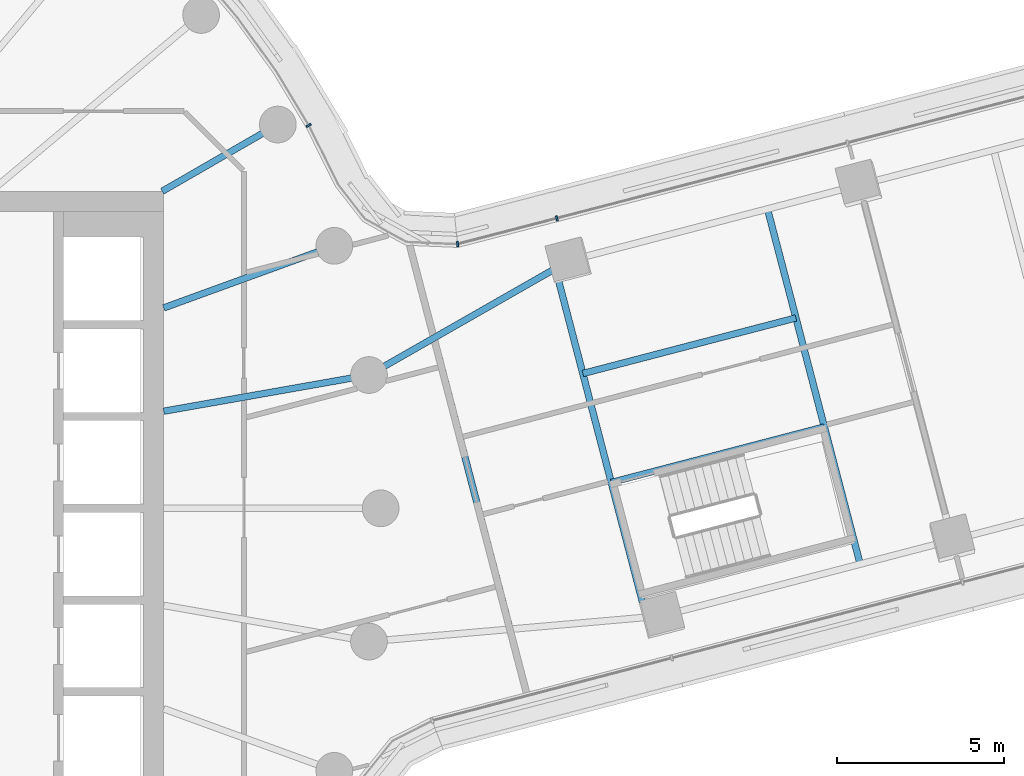
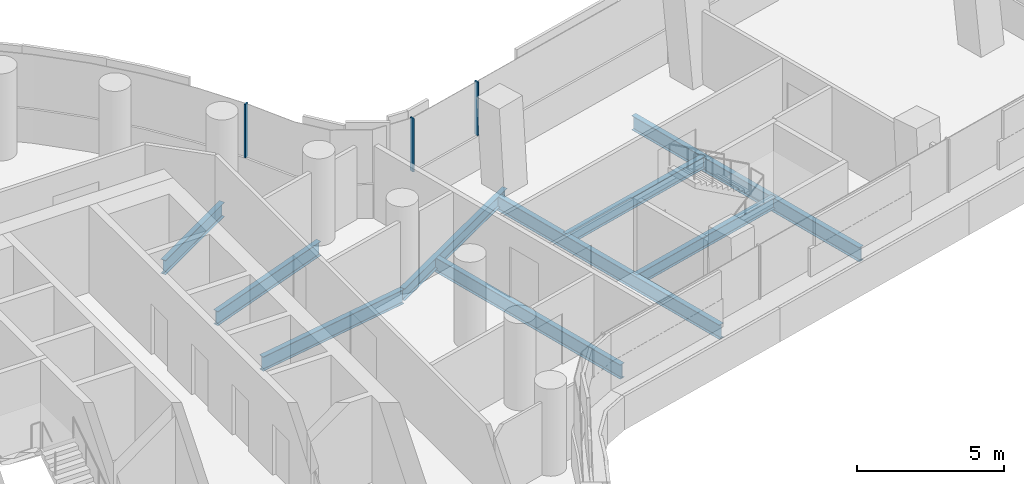
# One storey, part 11 of 30: 9 beams, 3 members, 2 elements without a shape of their own.
"""IFC4 building model written with IfcOpenShell, lengths in metres."""

from ifc_helpers import new_model, si_unit, direction, frame, origin, origin_2d, place, context, subcontext, project, spatial, rectangle, i_section, extrude, material, layer, layer_set, material_profile, profile_set, type_object, element, aggregate, save


model = new_model("IFC4")

# Units and contexts
model_context = context("Model", 3, precision=1e-05, world=origin(), true_north=direction((0.0, 1.0)))
body_context = subcontext(model_context, "Body", "Model", "MODEL_VIEW")
ifc_project = project(units=[si_unit("LENGTHUNIT", "METRE"), si_unit("AREAUNIT", "SQUARE_METRE"), si_unit("VOLUMEUNIT", "CUBIC_METRE"), si_unit("PLANEANGLEUNIT", "RADIAN"), si_unit("MASSUNIT", "GRAM", prefix="KILO")], contexts=[model_context])

# Site, building, storey
site_placement = place(None, origin())
site = spatial("IfcSite", under=ifc_project, at=site_placement, CompositionType="ELEMENT")
building_placement = place(site_placement, origin())
building = spatial("IfcBuilding", under=site, at=building_placement, Name="Tamarind Cross Interchange Tower", CompositionType="ELEMENT")
storey_placement = place(building_placement, frame((0.0, 0.0, 87.25)))
storey = spatial("IfcBuildingStorey", under=building, at=storey_placement, Name="L20", CompositionType="ELEMENT", Elevation=87.25)

# Beams
ifc_material_1 = material(Name="Steel Q355B", Category="steel")
ifc_material_profile_1 = material_profile(ifc_material_1, i_section(OverallWidth=0.198974609375, OverallDepth=0.49609375, WebThickness=0.009033203125, FlangeThickness=0.013916015625, FilletRadius=0.012939453125, at=origin_2d()), Name="HN 496x199x9x14")
ifc_profile_set_1 = profile_set([ifc_material_profile_1], Name="Steel Q355B")
beam_type_1 = type_object("IfcBeamType", Name="Composite beam HN 496x199x9x14 Q355B", PredefinedType="BEAM", material=ifc_profile_set_1)
beam_1_placement = place(storey_placement, frame((28.64208984375, 7.417724609375, -0.387939453125), z_axis=(-0.86823443333, -0.496154178437, 0.0), x_axis=(0.496154178437, -0.86823443333, 0.0)))
element("IfcBeam", 1, at=beam_1_placement, inside=storey, type_object=beam_type_1, Name="Beam E-linkep", PredefinedType="BEAM", context=body_context, shape_type="SweptSolid", body=[
    extrude(i_section(OverallWidth=0.198974609375, OverallDepth=0.49609375, WebThickness=0.009033203125, FlangeThickness=0.013916015625, FilletRadius=0.012939453125, at=origin_2d()), origin(), (0.0, 0.0, 1.0), 6.900634765625),
])
for number, where, z_axis, x_axis, name in (
    (2, (29.9111328125, 0.77294921875, -0.387939453125), (0.967597628492, 0.252497186791, 0.0), (-0.252497186791, 0.967597628492, 0.0), "Beam E-tr1"),
    (3, (29.058837890625, 4.03857421875, -0.387939453125), (0.967597628492, 0.252497186791, 0.0), (-0.252497186791, 0.967597628492, 0.0), "Beam E-stripp"),
):
    element("IfcBeam", number, at=place(storey_placement, frame(where, z_axis=z_axis, x_axis=x_axis)), inside=storey, type_object=beam_type_1, Name=name, PredefinedType="BEAM", context=body_context, shape_type="SweptSolid", body=[
        extrude(i_section(OverallWidth=0.198974609375, OverallDepth=0.49609375, WebThickness=0.009033203125, FlangeThickness=0.013916015625, FilletRadius=0.012939453125, at=origin_2d()), origin(), (0.0, 0.0, 1.0), 6.60009765625),
    ])
ifc_material_profile_2 = material_profile(ifc_material_1, i_section(OverallWidth=0.198974609375, OverallDepth=0.595947265625, WebThickness=0.010009765625, FlangeThickness=0.014892578125, FilletRadius=0.012939453125, at=origin_2d()), Name="HN 596x199x10x15")
ifc_profile_set_2 = profile_set([ifc_material_profile_2], Name="Steel Q355B")
beam_type_2 = type_object("IfcBeamType", Name="Composite beam HN 596x199x10x15 Q355B", PredefinedType="BEAM", material=ifc_profile_set_2)
beam_2_placement = place(storey_placement, frame((22.650634765625, 3.993896484375, -0.43798828125), z_axis=(-0.984809127561, -0.173640382036, 0.0), x_axis=(0.173640382036, -0.984809127561, 0.0)))
element("IfcBeam", 4, at=beam_2_placement, inside=storey, type_object=beam_type_2, Name="Beam HH01", PredefinedType="BEAM", context=body_context, shape_type="SweptSolid", body=[
    extrude(i_section(OverallWidth=0.198974609375, OverallDepth=0.595947265625, WebThickness=0.010009765625, FlangeThickness=0.014892578125, FilletRadius=0.012939453125, at=origin_2d()), origin(), (0.0, 0.0, 1.0), 6.24560546875),
])
beam_3_placement = place(storey_placement, frame((21.613037109375, 7.866455078125, -0.43798828125), z_axis=(-0.939701685589, -0.341995236956, 0.0), x_axis=(0.341995236956, -0.939701685589, 0.0)))
element("IfcBeam", 5, at=beam_3_placement, inside=storey, type_object=beam_type_2, Name="Beam HH02", PredefinedType="BEAM", context=body_context, shape_type="SweptSolid", body=[
    extrude(i_section(OverallWidth=0.198974609375, OverallDepth=0.595947265625, WebThickness=0.010009765625, FlangeThickness=0.014892578125, FilletRadius=0.012939453125, at=origin_2d()), origin(), (0.0, 0.0, 1.0), 5.441162109375),
])
beam_4_placement = place(storey_placement, frame((19.918701171875, 11.5, -0.43798828125), z_axis=(-0.866026010844, -0.49999894854, 0.0), x_axis=(0.49999894854, -0.866026010844, 0.0)))
element("IfcBeam", 6, at=beam_4_placement, inside=storey, type_object=beam_type_2, Name="Beam HH03", PredefinedType="BEAM", context=body_context, shape_type="SweptSolid", body=[
    extrude(i_section(OverallWidth=0.198974609375, OverallDepth=0.595947265625, WebThickness=0.010009765625, FlangeThickness=0.014892578125, FilletRadius=0.012939453125, at=origin_2d()), origin(), (0.0, 0.0, 1.0), 4.0),
])
ifc_material_profile_3 = material_profile(ifc_material_1, i_section(OverallWidth=0.199951171875, OverallDepth=0.60009765625, WebThickness=0.010986328125, FlangeThickness=0.01708984375, FilletRadius=0.012939453125, at=origin_2d()), Name="HN 600x200x11x17")
ifc_profile_set_3 = profile_set([ifc_material_profile_3], Name="Steel Q355B")
beam_type_3 = type_object("IfcBeamType", Name="Composite beam HN 600x200x11x17 Q355B", PredefinedType="BEAM", material=ifc_profile_set_3)
beam_5_placement = place(storey_placement, frame((30.96533203125, -3.265625, -0.43994140625), z_axis=(-0.252541499528, 0.967586063881, 0.0), x_axis=(-0.967586063881, -0.252541499528, 0.0)))
element("IfcBeam", 7, at=beam_5_placement, inside=storey, type_object=beam_type_3, Name="Beam E-x298", PredefinedType="BEAM", context=body_context, shape_type="SweptSolid", body=[
    extrude(i_section(OverallWidth=0.199951171875, OverallDepth=0.60009765625, WebThickness=0.010986328125, FlangeThickness=0.01708984375, FilletRadius=0.012939453125, at=origin_2d()), origin(), (0.0, 0.0, 1.0), 10.80224609375),
])
beam_6_placement = place(storey_placement, frame((37.37060546875, -1.672607421875, -0.43994140625), z_axis=(-0.252533930755, 0.967588039311, 0.0), x_axis=(-0.967588039311, -0.252533930755, 0.0)))
element("IfcBeam", 8, at=beam_6_placement, inside=storey, type_object=beam_type_3, Name="Beam E-x364", PredefinedType="BEAM", context=body_context, shape_type="SweptSolid", body=[
    extrude(i_section(OverallWidth=0.199951171875, OverallDepth=0.60009765625, WebThickness=0.010986328125, FlangeThickness=0.01708984375, FilletRadius=0.012939453125, at=origin_2d()), origin(), (0.0, 0.0, 1.0), 10.999755859375),
])
beam_7_placement = place(storey_placement, frame((26.873046875, -3.6240234375, -0.43994140625), z_axis=(-0.252519943433, 0.967591689799, 0.0), x_axis=(-0.967591689799, -0.252519943433, 0.0)))
element("IfcBeam", 9, at=beam_7_placement, inside=storey, type_object=beam_type_3, Name="Beam E-x258", PredefinedType="BEAM", context=body_context, shape_type="SweptSolid", body=[
    extrude(i_section(OverallWidth=0.199951171875, OverallDepth=0.60009765625, WebThickness=0.010986328125, FlangeThickness=0.01708984375, FilletRadius=0.012939453125, at=origin_2d()), origin(), (0.0, 0.0, 1.0), 9.021484375),
])

# Curtain wall, member
ifc_material_2 = material(Name="Aluminium 6063-T6", Category="aluminium")
ifc_layer = layer(ifc_material_2, 0.159912109375)
ifc_layer_set = layer_set([ifc_layer], Name="Aluminium 6063-T6")
curtain_wall_type = type_object("IfcCurtainWallType", Name="Office curtain wall, 9.0 m bays", PredefinedType="NOTDEFINED", material=ifc_layer_set)
curtain_wall_1_placement = place(storey_placement, origin())
curtain_wall_1 = element("IfcCurtainWall", 10, at=curtain_wall_1_placement, inside=storey, type_object=curtain_wall_type, Name="CWS-L20-13", PredefinedType="NOTDEFINED")
ifc_material_profile_4 = material_profile(ifc_material_2, rectangle(XDim=0.06005859375, YDim=0.159912109375, at=origin_2d()), Name="Mullion CW1")
ifc_profile_set_4 = profile_set([ifc_material_profile_4], Name="Aluminium 6063-T6")
member_type = type_object("IfcMemberType", Name="Mullion CW1", PredefinedType="MULLION", material=ifc_profile_set_4)
member_1_placement = place(storey_placement, frame((28.279541015625, 8.689453125, 1.39990234375), z_axis=(0.0, 0.0, 1.0), x_axis=(-0.967917811763, -0.251267008723, 0.0)))
member_1 = element("IfcMember", 11, at=member_1_placement, type_object=member_type, Name="CWM-L20-13-02", PredefinedType="MULLION", context=body_context, shape_type="SweptSolid", body=[
    extrude(rectangle(XDim=0.06005859375, YDim=0.159912109375, at=origin_2d()), origin(), (0.0, 0.0, 1.0), 2.210205078125),
])
aggregate(curtain_wall_1, [member_1])

# Curtain wall, members
curtain_wall_2_placement = place(storey_placement, origin())
curtain_wall_2 = element("IfcCurtainWall", 12, at=curtain_wall_2_placement, inside=storey, type_object=curtain_wall_type, Name="CWS-L20-14", PredefinedType="NOTDEFINED")
member_2_placement = place(storey_placement, frame((25.305908203125, 7.91748046875, 1.39990234375), z_axis=(0.0, 0.0, 1.0), x_axis=(-0.994439840587, -0.105306236533, 0.0)))
member_2 = element("IfcMember", 13, at=member_2_placement, type_object=member_type, Name="CWM-L20-14-00", PredefinedType="MULLION", context=body_context, shape_type="SweptSolid", body=[
    extrude(rectangle(XDim=0.06005859375, YDim=0.159912109375, at=origin_2d()), origin(), (0.0, 0.0, 1.0), 2.210205078125),
])
member_3_placement = place(storey_placement, frame((20.8427734375, 11.475341796875, 1.39990234375), z_axis=(0.0, 0.0, 1.0), x_axis=(-0.515577308909, 0.856843065292, 0.0)))
member_3 = element("IfcMember", 14, at=member_3_placement, type_object=member_type, Name="CWM-L20-14-01", PredefinedType="MULLION", context=body_context, shape_type="SweptSolid", body=[
    extrude(rectangle(XDim=0.06005859375, YDim=0.159912109375, at=origin_2d()), origin(), (0.0, 0.0, 1.0), 2.210205078125),
])
aggregate(curtain_wall_2, [member_2, member_3])

save(model, "model.ifc")
